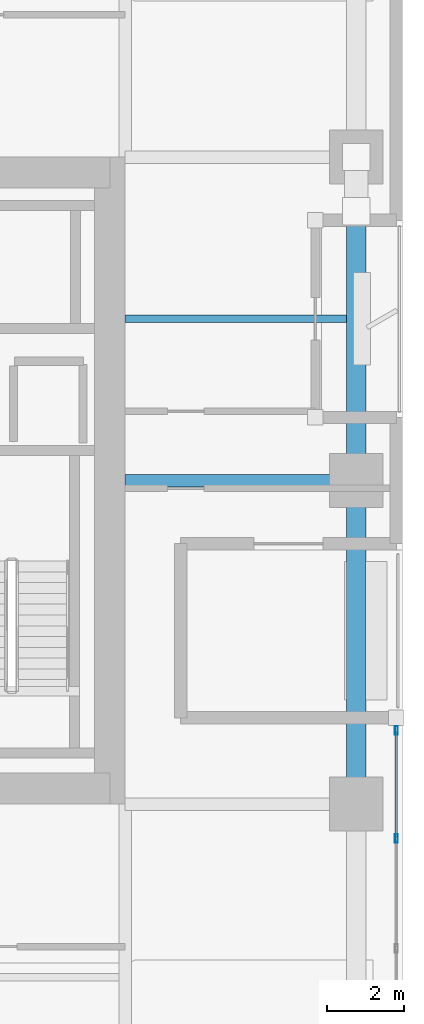
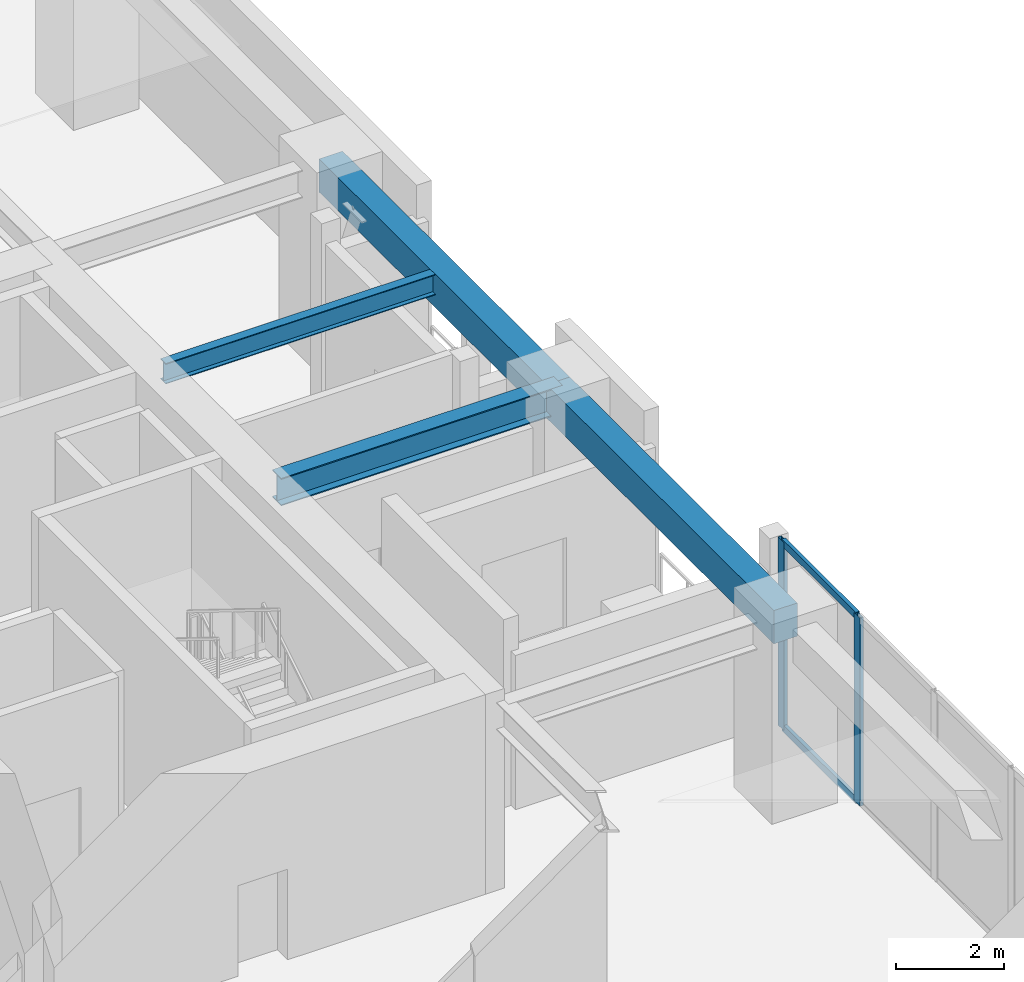
# One storey, part 6 of 20: 4 beams, 4 members, 1 element without a shape of its own.
"""IFC4 building model written with IfcOpenShell, lengths in metres."""

from ifc_helpers import new_model, si_unit, direction, frame, origin, origin_2d, place, context, subcontext, project, spatial, rectangle, hollow_rectangle, i_section, extrude, material, layer, layer_set, material_profile, profile_set, type_object, element, aggregate, save


model = new_model("IFC4")

# Units and contexts
model_context = context("Model", 3, precision=1e-05, world=origin(), true_north=direction((0.0, 1.0)))
body_context = subcontext(model_context, "Body", "Model", "MODEL_VIEW")
ifc_project = project(units=[si_unit("LENGTHUNIT", "METRE"), si_unit("AREAUNIT", "SQUARE_METRE"), si_unit("VOLUMEUNIT", "CUBIC_METRE"), si_unit("PLANEANGLEUNIT", "RADIAN"), si_unit("MASSUNIT", "GRAM", prefix="KILO")], contexts=[model_context])

# Site, building, storey
site_placement = place(None, origin())
site = spatial("IfcSite", under=ifc_project, at=site_placement, CompositionType="ELEMENT")
building_placement = place(site_placement, origin())
building = spatial("IfcBuilding", under=site, at=building_placement, Name="Kiyonajd Concourse Tower", CompositionType="ELEMENT")
storey_placement = place(building_placement, frame((0.0, 0.0, 125.39990234375)))
storey = spatial("IfcBuildingStorey", under=building, at=storey_placement, Name="L32", CompositionType="ELEMENT", Elevation=125.39990234375)

# Beams
ifc_material_1 = material(Name="Steel ASTM A992 Grade 50", Category="steel")
ifc_material_profile_1 = material_profile(ifc_material_1, i_section(OverallWidth=0.19189453125, OverallDepth=0.462890625, WebThickness=0.010498046875, FlangeThickness=0.017578125, at=origin_2d()), Name="W460X89")
ifc_profile_set_1 = profile_set([ifc_material_profile_1], Name="Steel ASTM A992 Grade 50")
beam_type_1 = type_object("IfcBeamType", Name="BM-JST-460B", PredefinedType="JOIST", material=ifc_profile_set_1)
beam_1_placement = place(storey_placement, frame((63.60009765625, 40.199951171875, 4.008544921875), z_axis=(1.0, 0.0, 0.0), x_axis=(0.0, 1.0, 0.0)))
element("IfcBeam", 1, at=beam_1_placement, inside=storey, type_object=beam_type_1, Name="L32 East Secondary Floor Joist", PredefinedType="JOIST", context=body_context, shape_type="SweptSolid", body=[
    extrude(i_section(OverallWidth=0.19189453125, OverallDepth=0.462890625, WebThickness=0.010498046875, FlangeThickness=0.017578125, at=origin_2d()), origin(), (0.0, 0.0, 1.0), 5.75),
])
ifc_material_2 = material(Name="Precast concrete C50/60", Category="concrete")
ifc_material_profile_2 = material_profile(ifc_material_2, rectangle(XDim=0.5, YDim=0.75, at=origin_2d()), Name="RCBM-500x750")
ifc_profile_set_2 = profile_set([ifc_material_profile_2], Name="Precast concrete C50/60")
beam_type_2 = type_object("IfcBeamType", Name="BM-SPAN-RC", PredefinedType="SPANDREL", material=ifc_profile_set_2)
for number, where, z_axis, x_axis, name in (
    (2, (69.60009765625, 27.60009765625, 3.864990234375), (0.0, 1.0, 0.0), (-1.0, 0.0, 0.0), "L32 Perimeter Bundled Tube Spandrel"),
    (3, (69.60009765625, 36.0, 3.864990234375), (0.0, 1.0, 0.0), (-1.0, 0.0, 0.0), "L32 Perimeter Bundled Tube Spandrel"),
):
    element("IfcBeam", number, at=place(storey_placement, frame(where, z_axis=z_axis, x_axis=x_axis)), inside=storey, type_object=beam_type_2, Name=name, PredefinedType="SPANDREL", context=body_context, shape_type="SweptSolid", body=[
        extrude(rectangle(XDim=0.5, YDim=0.75, at=origin_2d()), origin(), (0.0, 0.0, 1.0), 8.39990234375),
    ])
ifc_material_profile_3 = material_profile(ifc_material_1, i_section(OverallWidth=0.326904296875, OverallDepth=0.6220703125, WebThickness=0.015380859375, FlangeThickness=0.0244140625, at=origin_2d()), Name="W610X195")
ifc_profile_set_3 = profile_set([ifc_material_profile_3], Name="Steel ASTM A992 Grade 50")
beam_type_3 = type_object("IfcBeamType", Name="BM-TWR-610A", PredefinedType="BEAM", material=ifc_profile_set_3)
beam_2_placement = place(storey_placement, frame((63.60009765625, 36.0, 3.92919921875), z_axis=(1.0, 0.0, 0.0), x_axis=(0.0, 1.0, 0.0)))
element("IfcBeam", 4, at=beam_2_placement, inside=storey, type_object=beam_type_3, Name="L32 East Lease Girder", PredefinedType="BEAM", context=body_context, shape_type="SweptSolid", body=[
    extrude(i_section(OverallWidth=0.326904296875, OverallDepth=0.6220703125, WebThickness=0.015380859375, FlangeThickness=0.0244140625, at=origin_2d()), origin(), (0.0, 0.0, 1.0), 6.0),
])

# Curtain wall, members
ifc_material_3 = material(Name="Thermally Broken Anodised Aluminium", Category="aluminium")
ifc_layer = layer(ifc_material_3, 0.179931640625)
ifc_layer_set = layer_set([ifc_layer], Name="Thermally Broken Anodised Aluminium")
curtain_wall_type = type_object("IfcCurtainWallType", Name="CW-SYS-05", PredefinedType="NOTDEFINED", material=ifc_layer_set)
curtain_wall_placement = place(storey_placement, origin())
curtain_wall = element("IfcCurtainWall", 5, at=curtain_wall_placement, inside=storey, type_object=curtain_wall_type, Name="L32 Unitised Curtain Wall CW5", PredefinedType="NOTDEFINED")
ifc_material_profile_4 = material_profile(ifc_material_3, hollow_rectangle(XDim=0.074951171875, YDim=0.219970703125, WallThickness=0.0048828125, at=origin_2d()), Name="MULL-75x220")
ifc_profile_set_4 = profile_set([ifc_material_profile_4], Name="Thermally Broken Anodised Aluminium")
member_type_1 = type_object("IfcMemberType", Name="MB-CW-MULL2", PredefinedType="MULLION", material=ifc_profile_set_4)
member_1_placement = place(storey_placement, frame((70.639892578125, 29.512451171875, 0.0), z_axis=(0.0, 0.0, 1.0), x_axis=(1.0, 0.0, 0.0)))
member_1 = element("IfcMember", 6, at=member_1_placement, type_object=member_type_1, Name="CW5 mullion 1", PredefinedType="MULLION", context=body_context, shape_type="SweptSolid", body=[
    extrude(hollow_rectangle(XDim=0.074951171875, YDim=0.219970703125, WallThickness=0.0048828125, at=origin_2d()), origin(), (0.0, 0.0, 1.0), 4.239990234375),
])
member_2_placement = place(storey_placement, frame((70.639892578125, 26.7021484375, 0.0), z_axis=(0.0, 0.0, 1.0), x_axis=(1.0, 0.0, 0.0)))
member_2 = element("IfcMember", 7, at=member_2_placement, type_object=member_type_1, Name="CW5 mullion 2", PredefinedType="MULLION", context=body_context, shape_type="SweptSolid", body=[
    extrude(hollow_rectangle(XDim=0.074951171875, YDim=0.219970703125, WallThickness=0.0048828125, at=origin_2d()), origin(), (0.0, 0.0, 1.0), 4.239990234375),
])
ifc_material_profile_5 = material_profile(ifc_material_3, hollow_rectangle(XDim=0.074951171875, YDim=0.159912109375, WallThickness=0.0048828125, at=origin_2d()), Name="TRAN-75x160")
ifc_profile_set_5 = profile_set([ifc_material_profile_5], Name="Thermally Broken Anodised Aluminium")
member_type_2 = type_object("IfcMemberType", Name="MB-CW-TRAN2", PredefinedType="USERDEFINED", material=ifc_profile_set_5)
member_3_placement = place(storey_placement, frame((70.639892578125, 29.47509765625, 0.03759765625), z_axis=(0.0, -1.0, 0.0), x_axis=(1.0, 0.0, 0.0)))
member_3 = element("IfcMember", 8, at=member_3_placement, type_object=member_type_2, Name="CW5 transom 1.1", ObjectType="TRANSOM", PredefinedType="USERDEFINED", context=body_context, shape_type="SweptSolid", body=[
    extrude(hollow_rectangle(XDim=0.074951171875, YDim=0.159912109375, WallThickness=0.0048828125, at=origin_2d()), origin(), (0.0, 0.0, 1.0), 2.7353515625),
])
member_4_placement = place(storey_placement, frame((70.639892578125, 29.47509765625, 4.20263671875), z_axis=(0.0, -1.0, 0.0), x_axis=(1.0, 0.0, 0.0)))
member_4 = element("IfcMember", 9, at=member_4_placement, type_object=member_type_2, Name="CW5 transom 1.2", ObjectType="TRANSOM", PredefinedType="USERDEFINED", context=body_context, shape_type="SweptSolid", body=[
    extrude(hollow_rectangle(XDim=0.074951171875, YDim=0.159912109375, WallThickness=0.0048828125, at=origin_2d()), origin(), (0.0, 0.0, 1.0), 2.7353515625),
])
aggregate(curtain_wall, [member_1, member_2, member_3, member_4])

save(model, "model.ifc")
